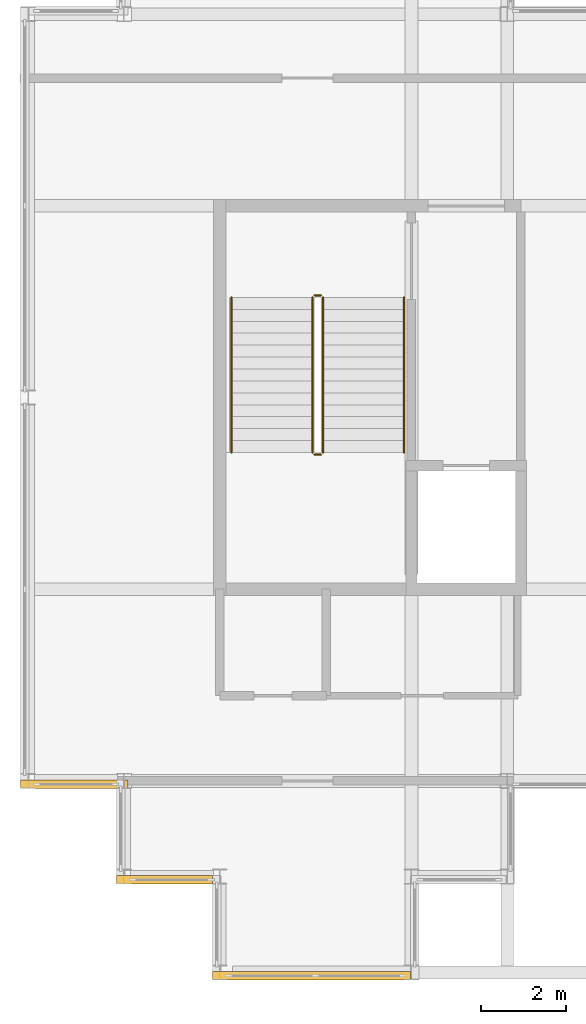
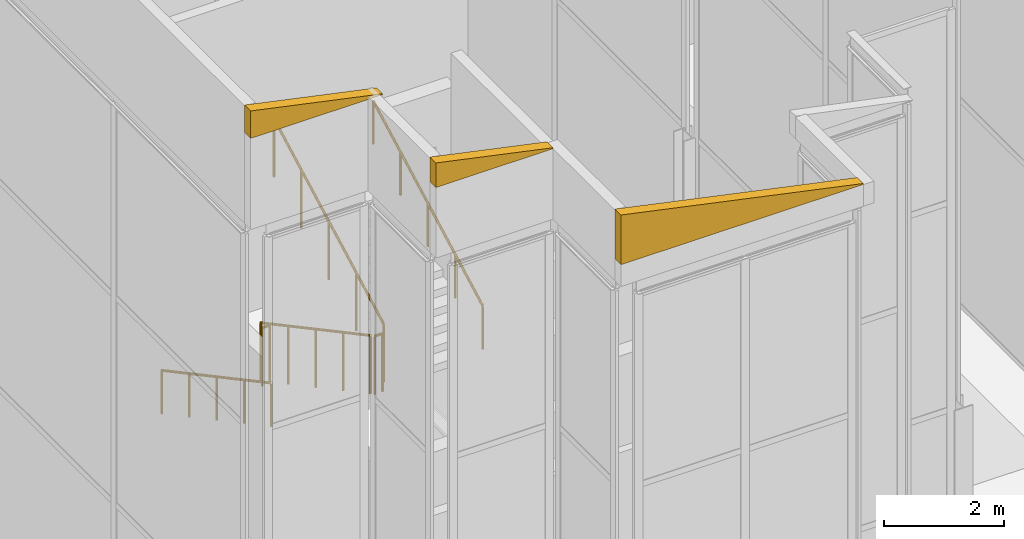
# One storey, part 20 of 23: 6 railings, 3 coverings.
"""IFC4 building model written with IfcOpenShell, lengths in metres."""

from ifc_helpers import new_model, si_unit, direction, frame, origin, origin_2d, place, context, subcontext, project, spatial, polyline, circle, outline, extrude, material, layer, layer_set, type_object, element, save


model = new_model("IFC4")

# Units and contexts
model_context = context("Model", 3, precision=1e-05, world=origin(), true_north=direction((0.0, 1.0)))
body_context = subcontext(model_context, "Body", "Model", "MODEL_VIEW")
ifc_project = project(units=[si_unit("LENGTHUNIT", "METRE"), si_unit("AREAUNIT", "SQUARE_METRE"), si_unit("VOLUMEUNIT", "CUBIC_METRE"), si_unit("PLANEANGLEUNIT", "RADIAN"), si_unit("MASSUNIT", "GRAM", prefix="KILO")], contexts=[model_context])

# Site, building, storey
site_placement = place(None, origin())
site = spatial("IfcSite", under=ifc_project, at=site_placement, CompositionType="ELEMENT")
building_placement = place(site_placement, origin())
building = spatial("IfcBuilding", under=site, at=building_placement, Name="Caravel Reach Hotel and Residences", CompositionType="ELEMENT")
storey_placement = place(building_placement, frame((0.0, 0.0, 312.800048828125)))
storey = spatial("IfcBuildingStorey", under=building, at=storey_placement, Name="L79", CompositionType="ELEMENT", Elevation=312.800048828125)

# Coverings
ifc_material_1 = material(Name="Insulated rainscreen wall, aluminium cladding", Category="aluminium")
ifc_layer = layer(ifc_material_1, 0.199951171875)
ifc_layer_set = layer_set([ifc_layer], Name="GC1 Crown gable closure 200")
covering_type = type_object("IfcCoveringType", Name="GC1 Crown gable closure 200", PredefinedType="CLADDING", material=ifc_layer_set)
covering_1_placement = place(storey_placement, frame((13.324951171875, 17.925048828125, 14.449951171875), z_axis=(0.0, 0.0, 1.0), x_axis=(1.0, 0.0, 0.0)))
element("IfcCovering", 1, at=covering_1_placement, inside=storey, type_object=covering_type, Name="Crown gable closure west 36.1", PredefinedType="CLADDING", context=body_context, shape_type="SweptSolid", body=[
    extrude(outline(polyline([(0.0, 0.0), (2.525146484375, 0.0), (2.52490234375, 0.02001953125), (0.0, 0.556640625), (0.0, 0.0)])), frame((0.0, 0.10009765625, 0.0), z_axis=(0.0, -1.0, 0.0), x_axis=(1.0, 0.0, 0.0)), (0.0, 0.0, 1.0), 0.199951171875),
])
covering_2_placement = place(storey_placement, frame((15.574951171875, 15.675048828125, 14.0302734375), z_axis=(0.0, 0.0, 1.0), x_axis=(1.0, 0.0, 0.0)))
element("IfcCovering", 2, at=covering_2_placement, inside=storey, type_object=covering_type, Name="Crown gable closure west 38.1", PredefinedType="CLADDING", context=body_context, shape_type="SweptSolid", body=[
    extrude(outline(polyline([(0.0, 0.0), (2.25, 0.0), (2.25, 0.019775390625), (0.0, 0.498046875), (0.0, 0.0)])), frame((0.0, 0.10009765625, 0.0), z_axis=(0.0, -1.0, 0.0), x_axis=(1.0, 0.0, 0.0)), (0.0, 0.0, 1.0), 0.199951171875),
])
covering_3_placement = place(storey_placement, frame((17.824951171875, 13.425048828125, 13.041748046875), z_axis=(0.0, 0.0, 1.0), x_axis=(1.0, 0.0, 0.0)))
element("IfcCovering", 3, at=covering_3_placement, inside=storey, type_object=covering_type, Name="Crown gable closure west 40.1", PredefinedType="CLADDING", context=body_context, shape_type="SweptSolid", body=[
    extrude(outline(polyline([(0.0, 0.0), (4.650146484375, 0.0), (4.64990234375, 0.02001953125), (0.0, 1.00830078125), (0.0, 0.0)])), frame((0.0, 0.10009765625, 0.0), z_axis=(0.0, -1.0, 0.0), x_axis=(1.0, 0.0, 0.0)), (0.0, 0.0, 1.0), 0.199951171875),
])

# Railings
ifc_material_2 = material(Name="Steel balustrade with glass infill", Category="steel")
railing_type_1 = type_object("IfcRailingType", Name="Guard 1200", PredefinedType="GUARDRAIL", material=ifc_material_2)
railing_1_placement = place(storey_placement, frame((20.175048828125, 29.35009765625, 0.14990234375)))
element("IfcRailing", 4, at=railing_1_placement, inside=storey, type_object=railing_type_1, Name="L79 ST-A stair guard 1", PredefinedType="GUARDRAIL", context=body_context, shape_type="SweptSolid", body=[
    extrude(circle(Radius=0.02392578125, at=origin_2d()), frame((0.0, 0.0, 1.17578125), z_axis=(0.0, -0.881492274372, 0.472198443689), x_axis=(1.0, 0.0, 0.0)), (0.0, 0.0, 1.0), 4.12939453125),
    extrude(circle(Radius=0.02099609375, at=origin_2d()), origin(), (0.0, 0.0, 1.0), 1.15185546875),
    extrude(circle(Radius=0.02099609375, at=origin_2d()), frame((0.0, -0.91015625, 0.487548828125)), (0.0, 0.0, 1.0), 1.15185546875),
    extrude(circle(Radius=0.02099609375, at=origin_2d()), frame((0.0, -1.820068359375, 0.97509765625)), (0.0, 0.0, 1.0), 1.15185546875),
    extrude(circle(Radius=0.02099609375, at=origin_2d()), frame((0.0, -2.72998046875, 1.46240234375)), (0.0, 0.0, 1.0), 1.15185546875),
    extrude(circle(Radius=0.02099609375, at=origin_2d()), frame((0.0, -3.64013671875, 1.949951171875)), (0.0, 0.0, 1.0), 1.15185546875),
])
railing_2_placement = place(storey_placement, frame((20.22509765625, 25.659912109375, 2.099853515625)))
element("IfcRailing", 5, at=railing_2_placement, inside=storey, type_object=railing_type_1, Name="L79 ST-A stair guard 2", PredefinedType="GUARDRAIL", context=body_context, shape_type="SweptSolid", body=[
    extrude(circle(Radius=0.02392578125, at=origin_2d()), frame((0.0, 0.0, 1.17578125), z_axis=(1.0, 0.0, 0.0), x_axis=(0.0, 1.0, 0.0)), (0.0, 0.0, 1.0), 0.14990234375),
    extrude(circle(Radius=0.02099609375, at=origin_2d()), origin(), (0.0, 0.0, 1.0), 1.15185546875),
    extrude(circle(Radius=0.02099609375, at=origin_2d()), frame((0.14990234375, 0.0, 0.0)), (0.0, 0.0, 1.0), 1.15185546875),
])
railing_3_placement = place(storey_placement, frame((20.425048828125, 25.7099609375, 2.25)))
element("IfcRailing", 6, at=railing_3_placement, inside=storey, type_object=railing_type_1, Name="L79 ST-A stair guard 3", PredefinedType="GUARDRAIL", context=body_context, shape_type="SweptSolid", body=[
    extrude(circle(Radius=0.02392578125, at=origin_2d()), frame((0.0, 0.0, 1.17578125), z_axis=(0.0, 0.881492274372, 0.472198443689), x_axis=(-1.0, 0.0, 0.0)), (0.0, 0.0, 1.0), 4.12939453125),
    extrude(circle(Radius=0.02099609375, at=origin_2d()), origin(), (0.0, 0.0, 1.0), 1.15185546875),
    extrude(circle(Radius=0.02099609375, at=origin_2d()), frame((0.0, 0.91015625, 0.487548828125)), (0.0, 0.0, 1.0), 1.15185546875),
    extrude(circle(Radius=0.02099609375, at=origin_2d()), frame((0.0, 1.820068359375, 0.97509765625)), (0.0, 0.0, 1.0), 1.15185546875),
    extrude(circle(Radius=0.02099609375, at=origin_2d()), frame((0.0, 2.72998046875, 1.46240234375)), (0.0, 0.0, 1.0), 1.15185546875),
    extrude(circle(Radius=0.02099609375, at=origin_2d()), frame((0.0, 3.64013671875, 1.949951171875)), (0.0, 0.0, 1.0), 1.15185546875),
])
railing_4_placement = place(storey_placement, frame((20.22509765625, 29.39990234375, 0.0)))
element("IfcRailing", 7, at=railing_4_placement, inside=storey, type_object=railing_type_1, Name="L79 ST-A stair guard 4", PredefinedType="GUARDRAIL", context=body_context, shape_type="SweptSolid", body=[
    extrude(circle(Radius=0.02392578125, at=origin_2d()), frame((0.0, 0.0, 1.17578125), z_axis=(1.0, 0.0, 0.0), x_axis=(0.0, 1.0, 0.0)), (0.0, 0.0, 1.0), 0.14990234375),
    extrude(circle(Radius=0.02099609375, at=origin_2d()), origin(), (0.0, 0.0, 1.0), 1.15185546875),
    extrude(circle(Radius=0.02099609375, at=origin_2d()), frame((0.14990234375, 0.0, 0.0)), (0.0, 0.0, 1.0), 1.15185546875),
])
ifc_material_3 = material(Name="Stainless steel handrail", Category="steel")
railing_type_2 = type_object("IfcRailingType", Name="Handrail 900", PredefinedType="HANDRAIL", material=ifc_material_3)
railing_5_placement = place(storey_placement, frame((18.27490234375, 29.35009765625, 0.14990234375)))
element("IfcRailing", 8, at=railing_5_placement, inside=storey, type_object=railing_type_2, Name="L79 ST-A stair handrail 1", PredefinedType="HANDRAIL", context=body_context, shape_type="SweptSolid", body=[
    extrude(circle(Radius=0.02392578125, at=origin_2d()), frame((0.0, 0.0, 0.8759765625), z_axis=(0.0, -0.881492274372, 0.472198443689), x_axis=(1.0, 0.0, 0.0)), (0.0, 0.0, 1.0), 4.12939453125),
    extrude(circle(Radius=0.02099609375, at=origin_2d()), origin(), (0.0, 0.0, 1.0), 0.851806640625),
    extrude(circle(Radius=0.02099609375, at=origin_2d()), frame((0.0, -0.91015625, 0.487548828125)), (0.0, 0.0, 1.0), 0.851806640625),
    extrude(circle(Radius=0.02099609375, at=origin_2d()), frame((0.0, -1.820068359375, 0.97509765625)), (0.0, 0.0, 1.0), 0.851806640625),
    extrude(circle(Radius=0.02099609375, at=origin_2d()), frame((0.0, -2.72998046875, 1.46240234375)), (0.0, 0.0, 1.0), 0.851806640625),
    extrude(circle(Radius=0.02099609375, at=origin_2d()), frame((0.0, -3.64013671875, 1.949951171875)), (0.0, 0.0, 1.0), 0.851806640625),
])
railing_6_placement = place(storey_placement, frame((22.324951171875, 25.7099609375, 2.25)))
element("IfcRailing", 9, at=railing_6_placement, inside=storey, type_object=railing_type_2, Name="L79 ST-A stair handrail 2", PredefinedType="HANDRAIL", context=body_context, shape_type="SweptSolid", body=[
    extrude(circle(Radius=0.02392578125, at=origin_2d()), frame((0.0, 0.0, 0.8759765625), z_axis=(0.0, 0.881492274372, 0.472198443689), x_axis=(-1.0, 0.0, 0.0)), (0.0, 0.0, 1.0), 4.12939453125),
    extrude(circle(Radius=0.02099609375, at=origin_2d()), origin(), (0.0, 0.0, 1.0), 0.851806640625),
    extrude(circle(Radius=0.02099609375, at=origin_2d()), frame((0.0, 0.91015625, 0.487548828125)), (0.0, 0.0, 1.0), 0.851806640625),
    extrude(circle(Radius=0.02099609375, at=origin_2d()), frame((0.0, 1.820068359375, 0.97509765625)), (0.0, 0.0, 1.0), 0.851806640625),
    extrude(circle(Radius=0.02099609375, at=origin_2d()), frame((0.0, 2.72998046875, 1.46240234375)), (0.0, 0.0, 1.0), 0.851806640625),
    extrude(circle(Radius=0.02099609375, at=origin_2d()), frame((0.0, 3.64013671875, 1.949951171875)), (0.0, 0.0, 1.0), 0.851806640625),
])

save(model, "model.ifc")
